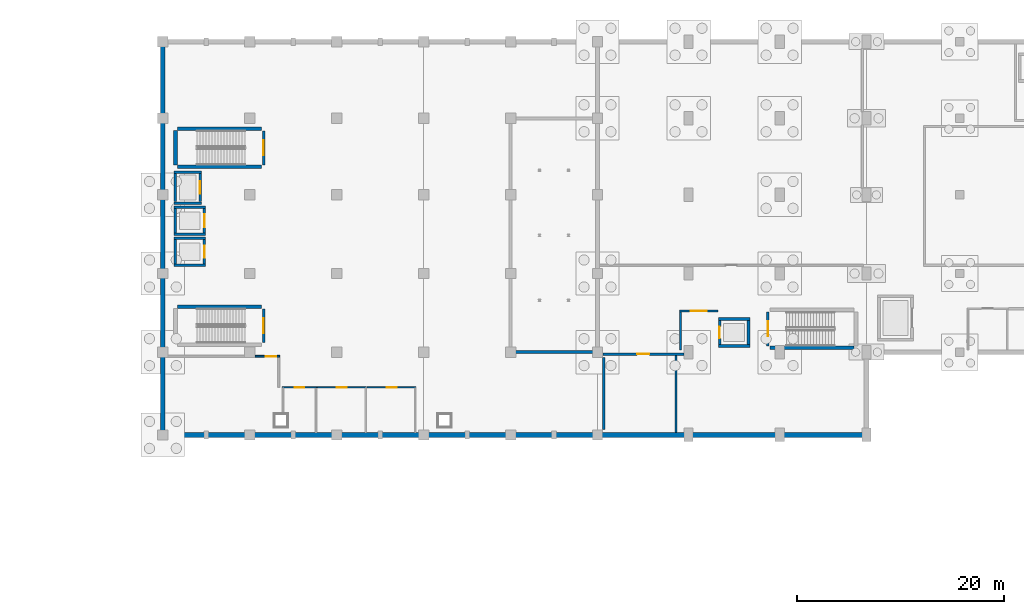
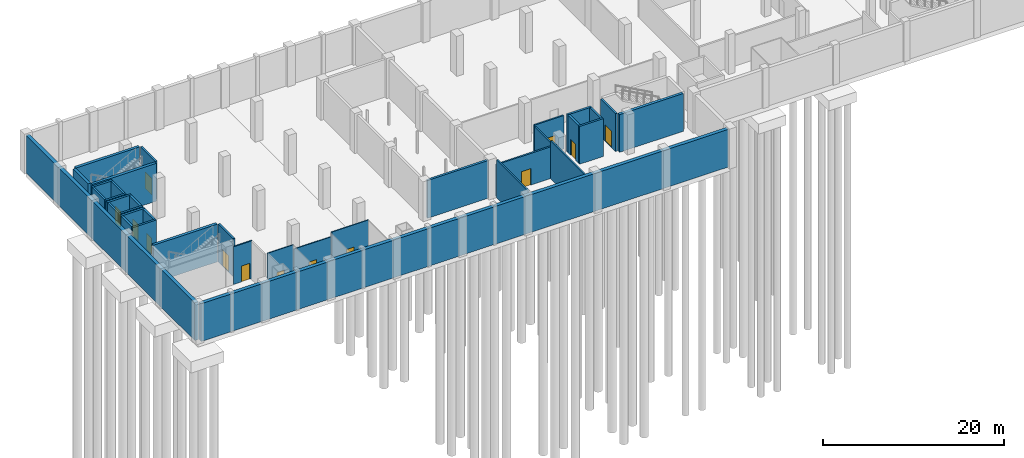
# One storey, part 11 of 20: 36 walls, 13 doors, 13 openings.
"""IFC4 building model written with IfcOpenShell, lengths in metres."""

from ifc_helpers import new_model, si_unit, direction, frame, frame_2d, origin, place, context, subcontext, project, spatial, rectangle, extrude, material, layer, layer_set, type_object, element, fill, save


model = new_model("IFC4")

# Units and contexts
model_context = context("Model", 3, precision=1e-05, world=origin(), true_north=direction((0.0, 1.0)))
body_context = subcontext(model_context, "Body", "Model", "MODEL_VIEW")
ifc_project = project(units=[si_unit("LENGTHUNIT", "METRE"), si_unit("AREAUNIT", "SQUARE_METRE"), si_unit("VOLUMEUNIT", "CUBIC_METRE"), si_unit("PLANEANGLEUNIT", "RADIAN"), si_unit("MASSUNIT", "GRAM", prefix="KILO")], contexts=[model_context])

# Site, building, storey
site_placement = place(None, origin())
site = spatial("IfcSite", under=ifc_project, at=site_placement, CompositionType="ELEMENT")
building_placement = place(site_placement, origin())
building = spatial("IfcBuilding", under=site, at=building_placement, Name="Shengluoqiao Park Theatre", CompositionType="ELEMENT")
storey_placement = place(building_placement, frame((0.0, 0.0, -5.39990234375)))
storey = spatial("IfcBuildingStorey", under=building, at=storey_placement, Name="B1", CompositionType="ELEMENT", Elevation=-5.39990234375)

# Wall, opening, door
ifc_material_1 = material(Name="Concrete blockwork B06", Category="masonry")
ifc_layer_1 = layer(ifc_material_1, 0.2099609375, Name="Concrete blockwork B06")
ifc_layer_set_1 = layer_set([ifc_layer_1], Name="Concrete blockwork B06")
wall_type_1 = type_object("IfcWallType", Name="INT-WL-CMP210", PredefinedType="PARTITIONING", material=ifc_layer_set_1)
wall_1_placement = place(storey_placement, frame((86.907958984375, 83.800048828125, 0.0), z_axis=(0.0, 0.0, 1.0), x_axis=(1.0, 0.0, 0.0)))
wall_1 = element("IfcWall", 1, at=wall_1_placement, inside=storey, type_object=wall_type_1, Name="Fire Pump and Sprinkler Tank Room Partition N", PredefinedType="PARTITIONING", context=body_context, shape_type="SweptSolid", body=[
    extrude(rectangle(XDim=7.833984375, YDim=0.2099609375, at=frame_2d((3.9169921875, 0.0))), origin(), (0.0, 0.0, 1.0), 4.27783203125),
])
opening_1_placement = place(wall_1_placement, frame((3.326904296875, 0.0, 0.0)))
opening_1 = element("IfcOpeningElement", 2, at=opening_1_placement, cuts=wall_1, Name="Opening D-B1-010", PredefinedType="OPENING", context=body_context, shape_type="SweptSolid", body=[
    extrude(rectangle(XDim=1.179931640625, YDim=2.219970703125, at=frame_2d((0.58984375, 1.10986328125))), frame((0.0, 0.114990234375, 0.0), z_axis=(0.0, -1.0, 0.0), x_axis=(1.0, 0.0, 0.0)), (0.0, 0.0, 1.0), 0.22998046875),
])
ifc_material_2 = material(Name="Steel Q355", Category="steel")
door_type_1 = type_object("IfcDoorType", Name="INT-DR-PLT118", OperationType="NOTDEFINED", PredefinedType="DOOR", material=ifc_material_2)
door_1_placement = place(opening_1_placement, origin())
door_1 = element("IfcDoor", 3, at=door_1_placement, inside=storey, type_object=door_type_1, Name="Fire Pump and Sprinkler Tank Room Door D-B1-010", OperationType="SINGLE_SWING_RIGHT", OverallHeight=2.219970703125, OverallWidth=1.179931640625, PredefinedType="DOOR", context=body_context, shape_type="SweptSolid", body=[
    extrude(rectangle(XDim=1.179931640625, YDim=2.219970703125, at=frame_2d((0.58984375, 1.10986328125))), frame((0.0, 0.02490234375, 0.0), z_axis=(0.0, -1.0, 0.0), x_axis=(1.0, 0.0, 0.0)), (0.0, 0.0, 1.0), 0.050048828125),
])
fill(opening_1, door_1)

# Walls
wall_2_placement = place(storey_placement, frame((94.0, 76.23291015625, 0.0), z_axis=(0.0, 0.0, 1.0), x_axis=(0.0, 1.0, 0.0)))
element("IfcWall", 4, at=wall_2_placement, inside=storey, type_object=wall_type_1, Name="Fire Pump and Sprinkler Tank Room Partition E", PredefinedType="PARTITIONING", context=body_context, shape_type="SweptSolid", body=[
    extrude(rectangle(XDim=7.4560546875, YDim=0.2099609375, at=frame_2d((3.72802734375, 0.0))), origin(), (0.0, 0.0, 1.0), 5.099853515625),
])
wall_3_placement = place(storey_placement, frame((87.0, 76.506103515625, 0.0), z_axis=(0.0, 0.0, 1.0), x_axis=(0.0, 1.0, 0.0)))
element("IfcWall", 5, at=wall_3_placement, inside=storey, type_object=wall_type_1, Name="Fire Pump and Sprinkler Tank Room Partition W", PredefinedType="PARTITIONING", context=body_context, shape_type="SweptSolid", body=[
    extrude(rectangle(XDim=6.98779296875, YDim=0.2099609375, at=frame_2d((3.493896484375, 0.0))), origin(), (0.0, 0.0, 1.0), 5.099853515625),
])

# Wall, opening, door
ifc_material_3 = material(Name="Gypsum acoustic stud", Category="gypsum")
ifc_layer_2 = layer(ifc_material_3, 0.175048828125, Name="Gypsum acoustic stud")
ifc_layer_set_2 = layer_set([ifc_layer_2], Name="Gypsum acoustic stud")
wall_type_2 = type_object("IfcWallType", Name="INT-WL-COR175", PredefinedType="PARTITIONING", material=ifc_layer_set_2)
wall_4_placement = place(storey_placement, frame((53.305908203125, 83.60009765625, 0.0), z_axis=(0.0, 0.0, 1.0), x_axis=(1.0, 0.0, 0.0)))
wall_4 = element("IfcWall", 6, at=wall_4_placement, inside=storey, type_object=wall_type_2, Name="Covered Staff and Visitor Bicycle Store Partition N", PredefinedType="PARTITIONING", context=body_context, shape_type="SweptSolid", body=[
    extrude(rectangle(XDim=2.381591796875, YDim=0.175048828125, at=frame_2d((1.19091796875, 0.0))), origin(), (0.0, 0.0, 1.0), 5.099853515625),
])
opening_2_placement = place(wall_4_placement, frame((1.03076171875, 0.0, 0.0)))
opening_2 = element("IfcOpeningElement", 7, at=opening_2_placement, cuts=wall_4, Name="Opening D-B1-011", PredefinedType="OPENING", context=body_context, shape_type="SweptSolid", body=[
    extrude(rectangle(XDim=1.0400390625, YDim=2.139892578125, at=frame_2d((0.52001953125, 1.06982421875))), frame((0.0, 0.097412109375, 0.0), z_axis=(0.0, -1.0, 0.0), x_axis=(1.0, 0.0, 0.0)), (0.0, 0.0, 1.0), 0.195068359375),
])
door_type_2 = type_object("IfcDoorType", Name="INT-DR-STR104", OperationType="NOTDEFINED", PredefinedType="DOOR", material=ifc_material_2)
door_2_placement = place(opening_2_placement, origin())
door_2 = element("IfcDoor", 8, at=door_2_placement, inside=storey, type_object=door_type_2, Name="Covered Staff and Visitor Bicycle Store Door D-B1-011", OperationType="SINGLE_SWING_LEFT", OverallHeight=2.139892578125, OverallWidth=1.0400390625, PredefinedType="DOOR", context=body_context, shape_type="SweptSolid", body=[
    extrude(rectangle(XDim=1.0400390625, YDim=2.139892578125, at=frame_2d((0.52001953125, 1.06982421875))), frame((0.0, 0.02490234375, 0.0), z_axis=(0.0, -1.0, 0.0), x_axis=(1.0, 0.0, 0.0)), (0.0, 0.0, 1.0), 0.050048828125),
])
fill(opening_2, door_2)

# Wall
ifc_layer_3 = layer(ifc_material_1, 0.195068359375, Name="Concrete blockwork B06")
ifc_layer_set_3 = layer_set([ifc_layer_3], Name="Concrete blockwork B06")
wall_type_3 = type_object("IfcWallType", Name="INT-WL-FFL195", PredefinedType="PARTITIONING", material=ifc_layer_set_3)
wall_5_placement = place(storey_placement, frame((94.39990234375, 84.219970703125, 0.0), z_axis=(0.0, 0.0, 1.0), x_axis=(0.0, 1.0, 0.0)))
element("IfcWall", 9, at=wall_5_placement, inside=storey, type_object=wall_type_3, Name="B1 Firefighting Lift Lobby FF1 Fire Wall W", PredefinedType="PARTITIONING", context=body_context, shape_type="SweptSolid", body=[
    extrude(rectangle(XDim=3.675048828125, YDim=0.195068359375, at=frame_2d((1.83740234375, 0.0))), origin(), (0.0, 0.0, 1.0), 4.27783203125),
])

# Wall, opening, door
wall_6_placement = place(storey_placement, frame((94.31005859375, 88.0, 0.0), z_axis=(0.0, 0.0, 1.0), x_axis=(1.0, 0.0, 0.0)))
wall_6 = element("IfcWall", 10, at=wall_6_placement, inside=storey, type_object=wall_type_3, Name="B1 Firefighting Lift Lobby FF1 Fire Wall N", PredefinedType="PARTITIONING", context=body_context, shape_type="SweptSolid", body=[
    extrude(rectangle(XDim=3.75, YDim=0.195068359375, at=frame_2d((1.875, 0.0))), origin(), (0.0, 0.0, 1.0), 4.515869140625),
])
opening_3_placement = place(wall_6_placement, frame((1.125, 0.0, 0.0)))
opening_3 = element("IfcOpeningElement", 11, at=opening_3_placement, cuts=wall_6, Name="Opening FD-FFL-1-B1", PredefinedType="OPENING", context=body_context, shape_type="SweptSolid", body=[
    extrude(rectangle(XDim=1.5, YDim=2.199951171875, at=frame_2d((0.75, 1.10009765625))), frame((0.0, 0.107421875, 0.0), z_axis=(0.0, -1.0, 0.0), x_axis=(1.0, 0.0, 0.0)), (0.0, 0.0, 1.0), 0.215087890625),
])
door_type_3 = type_object("IfcDoorType", Name="INT-DR-FFL150", OperationType="DOUBLE_DOOR_SINGLE_SWING", PredefinedType="DOOR", material=ifc_material_2)
door_3_placement = place(opening_3_placement, origin())
door_3 = element("IfcDoor", 12, at=door_3_placement, inside=storey, type_object=door_type_3, Name="B1 Firefighting Lift Lobby FF1 Fire Door FD-FFL-1-B1", OperationType="DOUBLE_DOOR_SINGLE_SWING", OverallHeight=2.199951171875, OverallWidth=1.5, PredefinedType="DOOR", context=body_context, shape_type="SweptSolid", body=[
    extrude(rectangle(XDim=1.5, YDim=2.199951171875, at=frame_2d((0.75, 1.10009765625))), frame((0.0, 0.02490234375, 0.0), z_axis=(0.0, -1.0, 0.0), x_axis=(1.0, 0.0, 0.0)), (0.0, 0.0, 1.0), 0.050048828125),
])
fill(opening_3, door_3)

# Walls
ifc_material_4 = material(Name="Concrete C40", Category="concrete")
ifc_layer_4 = layer(ifc_material_4, 0.260009765625, Name="Concrete C40")
ifc_layer_set_4 = layer_set([ifc_layer_4], Name="Concrete C40")
wall_type_4 = type_object("IfcWallType", Name="INT-WL-SHF260", PredefinedType="STANDARD", material=ifc_layer_set_4)
for number, where, z_axis, x_axis, name in (
    (13, (45.469970703125, 92.39990234375, 0.0), (0.0, 0.0, 1.0), (1.0, 0.0, 0.0), "B1 PL3 Lift Shaft Wall South"),
    (14, (45.469970703125, 95.0, 0.0), (0.0, 0.0, 1.0), (1.0, 0.0, 0.0), "B1 PL3 Lift Shaft Wall North"),
):
    element("IfcWall", number, at=place(storey_placement, frame(where, z_axis=z_axis, x_axis=x_axis)), inside=storey, type_object=wall_type_4, Name=name, PredefinedType="STANDARD", context=body_context, shape_type="SweptSolid", body=[
        extrude(rectangle(XDim=3.06005859375, YDim=0.260009765625, at=frame_2d((1.530029296875, 0.0))), origin(), (0.0, 0.0, 1.0), 5.099853515625),
    ])
wall_7_placement = place(storey_placement, frame((45.60009765625, 92.535888671875, 0.0), z_axis=(0.0, 0.0, 1.0), x_axis=(0.0, 1.0, 0.0)))
element("IfcWall", 15, at=wall_7_placement, inside=storey, type_object=wall_type_4, Name="B1 PL3 Lift Shaft Wall West", PredefinedType="STANDARD", context=body_context, shape_type="SweptSolid", body=[
    extrude(rectangle(XDim=2.328125, YDim=0.260009765625, at=frame_2d((1.1640625, 0.0))), origin(), (0.0, 0.0, 1.0), 5.099853515625),
])

# Wall, opening, door
wall_8_placement = place(storey_placement, frame((48.39990234375, 92.535888671875, 0.0), z_axis=(0.0, 0.0, 1.0), x_axis=(0.0, 1.0, 0.0)))
wall_8 = element("IfcWall", 16, at=wall_8_placement, inside=storey, type_object=wall_type_4, Name="B1 PL3 Lift Shaft Wall East", PredefinedType="STANDARD", context=body_context, shape_type="SweptSolid", body=[
    extrude(rectangle(XDim=2.328125, YDim=0.260009765625, at=frame_2d((1.1640625, 0.0))), origin(), (0.0, 0.0, 1.0), 5.099853515625),
])
opening_4_placement = place(wall_8_placement, frame((0.589111328125, 0.0, 0.0)))
opening_4 = element("IfcOpeningElement", 17, at=opening_4_placement, cuts=wall_8, Name="Opening LD-PL3-B1", PredefinedType="OPENING", context=body_context, shape_type="SweptSolid", body=[
    extrude(rectangle(XDim=1.14990234375, YDim=2.14990234375, at=frame_2d((0.574951171875, 1.074951171875))), frame((0.0, 0.139892578125, 0.0), z_axis=(0.0, -1.0, 0.0), x_axis=(1.0, 0.0, 0.0)), (0.0, 0.0, 1.0), 0.280029296875),
])
ifc_material_5 = material(Name="Stainless steel 304", Category="steel")
door_type_4 = type_object("IfcDoorType", Name="INT-DR-LD115", OperationType="SLIDING_TO_LEFT", PredefinedType="DOOR", material=ifc_material_5)
door_4_placement = place(opening_4_placement, origin())
door_4 = element("IfcDoor", 18, at=door_4_placement, inside=storey, type_object=door_type_4, Name="PL3 Lift Landing Door LD-PL3-B1", OperationType="SLIDING_TO_LEFT", OverallHeight=2.14990234375, OverallWidth=1.14990234375, PredefinedType="DOOR", context=body_context, shape_type="SweptSolid", body=[
    extrude(rectangle(XDim=1.14990234375, YDim=2.14990234375, at=frame_2d((0.574951171875, 1.074951171875))), frame((0.0, 0.02490234375, 0.0), z_axis=(0.0, -1.0, 0.0), x_axis=(1.0, 0.0, 0.0)), (0.0, 0.0, 1.0), 0.050048828125),
])
fill(opening_4, door_4)

# Walls
for number, where, z_axis, x_axis, name in (
    (19, (45.469970703125, 95.39990234375, 0.0), (0.0, 0.0, 1.0), (1.0, 0.0, 0.0), "B1 PL4 Lift Shaft Wall South"),
    (20, (45.469970703125, 98.0, 0.0), (0.0, 0.0, 1.0), (1.0, 0.0, 0.0), "B1 PL4 Lift Shaft Wall North"),
):
    element("IfcWall", number, at=place(storey_placement, frame(where, z_axis=z_axis, x_axis=x_axis)), inside=storey, type_object=wall_type_4, Name=name, PredefinedType="STANDARD", context=body_context, shape_type="SweptSolid", body=[
        extrude(rectangle(XDim=3.06005859375, YDim=0.260009765625, at=frame_2d((1.530029296875, 0.0))), origin(), (0.0, 0.0, 1.0), 5.099853515625),
    ])
wall_9_placement = place(storey_placement, frame((45.60009765625, 95.535888671875, 0.0), z_axis=(0.0, 0.0, 1.0), x_axis=(0.0, 1.0, 0.0)))
element("IfcWall", 21, at=wall_9_placement, inside=storey, type_object=wall_type_4, Name="B1 PL4 Lift Shaft Wall West", PredefinedType="STANDARD", context=body_context, shape_type="SweptSolid", body=[
    extrude(rectangle(XDim=2.328125, YDim=0.260009765625, at=frame_2d((1.1640625, 0.0))), origin(), (0.0, 0.0, 1.0), 5.099853515625),
])

# Wall, opening, door
wall_10_placement = place(storey_placement, frame((48.39990234375, 95.535888671875, 0.0), z_axis=(0.0, 0.0, 1.0), x_axis=(0.0, 1.0, 0.0)))
wall_10 = element("IfcWall", 22, at=wall_10_placement, inside=storey, type_object=wall_type_4, Name="B1 PL4 Lift Shaft Wall East", PredefinedType="STANDARD", context=body_context, shape_type="SweptSolid", body=[
    extrude(rectangle(XDim=2.328125, YDim=0.260009765625, at=frame_2d((1.1640625, 0.0))), origin(), (0.0, 0.0, 1.0), 5.099853515625),
])
opening_5_placement = place(wall_10_placement, frame((0.553955078125, 0.0, 0.0)))
opening_5 = element("IfcOpeningElement", 23, at=opening_5_placement, cuts=wall_10, Name="Opening LD-PL4-B1", PredefinedType="OPENING", context=body_context, shape_type="SweptSolid", body=[
    extrude(rectangle(XDim=1.219970703125, YDim=2.199951171875, at=frame_2d((0.60986328125, 1.10009765625))), frame((0.0, 0.139892578125, 0.0), z_axis=(0.0, -1.0, 0.0), x_axis=(1.0, 0.0, 0.0)), (0.0, 0.0, 1.0), 0.280029296875),
])
door_type_5 = type_object("IfcDoorType", Name="INT-DR-LD122", OperationType="SLIDING_TO_RIGHT", PredefinedType="DOOR", material=ifc_material_5)
door_5_placement = place(opening_5_placement, origin())
door_5 = element("IfcDoor", 24, at=door_5_placement, inside=storey, type_object=door_type_5, Name="PL4 Lift Landing Door LD-PL4-B1", OperationType="SLIDING_TO_RIGHT", OverallHeight=2.199951171875, OverallWidth=1.219970703125, PredefinedType="DOOR", context=body_context, shape_type="SweptSolid", body=[
    extrude(rectangle(XDim=1.219970703125, YDim=2.199951171875, at=frame_2d((0.60986328125, 1.10009765625))), frame((0.0, 0.02490234375, 0.0), z_axis=(0.0, -1.0, 0.0), x_axis=(1.0, 0.0, 0.0)), (0.0, 0.0, 1.0), 0.050048828125),
])
fill(opening_5, door_5)

# Walls
for number, where, z_axis, x_axis, name in (
    (25, (45.469970703125, 98.39990234375, 0.0), (0.0, 0.0, 1.0), (1.0, 0.0, 0.0), "B1 AL1 Lift Shaft Wall South"),
    (26, (45.469970703125, 101.39990234375, 0.0), (0.0, 0.0, 1.0), (1.0, 0.0, 0.0), "B1 AL1 Lift Shaft Wall North"),
):
    element("IfcWall", number, at=place(storey_placement, frame(where, z_axis=z_axis, x_axis=x_axis)), inside=storey, type_object=wall_type_4, Name=name, PredefinedType="STANDARD", context=body_context, shape_type="SweptSolid", body=[
        extrude(rectangle(XDim=2.659912109375, YDim=0.260009765625, at=frame_2d((1.330078125, 0.0))), origin(), (0.0, 0.0, 1.0), 5.099853515625),
    ])
wall_11_placement = place(storey_placement, frame((45.60009765625, 98.535888671875, 0.0), z_axis=(0.0, 0.0, 1.0), x_axis=(0.0, 1.0, 0.0)))
element("IfcWall", 27, at=wall_11_placement, inside=storey, type_object=wall_type_4, Name="B1 AL1 Lift Shaft Wall West", PredefinedType="STANDARD", context=body_context, shape_type="SweptSolid", body=[
    extrude(rectangle(XDim=2.72802734375, YDim=0.260009765625, at=frame_2d((1.364013671875, 0.0))), origin(), (0.0, 0.0, 1.0), 5.099853515625),
])

# Wall, opening, door
wall_12_placement = place(storey_placement, frame((48.0, 98.535888671875, 0.0), z_axis=(0.0, 0.0, 1.0), x_axis=(0.0, 1.0, 0.0)))
wall_12 = element("IfcWall", 28, at=wall_12_placement, inside=storey, type_object=wall_type_4, Name="B1 AL1 Lift Shaft Wall East", PredefinedType="STANDARD", context=body_context, shape_type="SweptSolid", body=[
    extrude(rectangle(XDim=2.72802734375, YDim=0.260009765625, at=frame_2d((1.364013671875, 0.0))), origin(), (0.0, 0.0, 1.0), 5.099853515625),
])
opening_6_placement = place(wall_12_placement, frame((0.75390625, 0.0, 0.0)))
opening_6 = element("IfcOpeningElement", 29, at=opening_6_placement, cuts=wall_12, Name="Opening LD-AL1-B1", PredefinedType="OPENING", context=body_context, shape_type="SweptSolid", body=[
    extrude(rectangle(XDim=1.219970703125, YDim=2.199951171875, at=frame_2d((0.60986328125, 1.10009765625))), frame((0.0, 0.139892578125, 0.0), z_axis=(0.0, -1.0, 0.0), x_axis=(1.0, 0.0, 0.0)), (0.0, 0.0, 1.0), 0.280029296875),
])
door_6_placement = place(opening_6_placement, origin())
door_6 = element("IfcDoor", 30, at=door_6_placement, inside=storey, type_object=door_type_5, Name="AL1 Lift Landing Door LD-AL1-B1", OperationType="SLIDING_TO_LEFT", OverallHeight=2.199951171875, OverallWidth=1.219970703125, PredefinedType="DOOR", context=body_context, shape_type="SweptSolid", body=[
    extrude(rectangle(XDim=1.219970703125, YDim=2.199951171875, at=frame_2d((0.60986328125, 1.10009765625))), frame((0.0, 0.02490234375, 0.0), z_axis=(0.0, -1.0, 0.0), x_axis=(1.0, 0.0, 0.0)), (0.0, 0.0, 1.0), 0.050048828125),
])
fill(opening_6, door_6)

# Walls
for number, where, z_axis, x_axis, name in (
    (31, (98.070068359375, 84.60009765625, 0.0), (0.0, 0.0, 1.0), (1.0, 0.0, 0.0), "B1 FF1 Lift Shaft Wall South"),
    (32, (98.070068359375, 87.199951171875, 0.0), (0.0, 0.0, 1.0), (1.0, 0.0, 0.0), "B1 FF1 Lift Shaft Wall North"),
):
    element("IfcWall", number, at=place(storey_placement, frame(where, z_axis=z_axis, x_axis=x_axis)), inside=storey, type_object=wall_type_4, Name=name, PredefinedType="STANDARD", context=body_context, shape_type="SweptSolid", body=[
        extrude(rectangle(XDim=3.059814453125, YDim=0.260009765625, at=frame_2d((1.52978515625, 0.0))), origin(), (0.0, 0.0, 1.0), 5.099853515625),
    ])

# Wall, opening, door
wall_13_placement = place(storey_placement, frame((98.199951171875, 84.736083984375, 0.0), z_axis=(0.0, 0.0, 1.0), x_axis=(0.0, 1.0, 0.0)))
wall_13 = element("IfcWall", 33, at=wall_13_placement, inside=storey, type_object=wall_type_4, Name="B1 FF1 Lift Shaft Wall West", PredefinedType="STANDARD", context=body_context, shape_type="SweptSolid", body=[
    extrude(rectangle(XDim=2.327880859375, YDim=0.260009765625, at=frame_2d((1.1640625, 0.0))), origin(), (0.0, 0.0, 1.0), 5.099853515625),
])
opening_7_placement = place(wall_13_placement, frame((0.589111328125, 0.0, 0.0)))
opening_7 = element("IfcOpeningElement", 34, at=opening_7_placement, cuts=wall_13, Name="Opening LD-FF1-B1", PredefinedType="OPENING", context=body_context, shape_type="SweptSolid", body=[
    extrude(rectangle(XDim=1.14990234375, YDim=2.14990234375, at=frame_2d((0.574951171875, 1.074951171875))), frame((0.0, 0.139892578125, 0.0), z_axis=(0.0, -1.0, 0.0), x_axis=(1.0, 0.0, 0.0)), (0.0, 0.0, 1.0), 0.280029296875),
])
door_7_placement = place(opening_7_placement, origin())
door_7 = element("IfcDoor", 35, at=door_7_placement, inside=storey, type_object=door_type_4, Name="FF1 Lift Landing Door LD-FF1-B1", OperationType="SLIDING_TO_LEFT", OverallHeight=2.14990234375, OverallWidth=1.14990234375, PredefinedType="DOOR", context=body_context, shape_type="SweptSolid", body=[
    extrude(rectangle(XDim=1.14990234375, YDim=2.14990234375, at=frame_2d((0.574951171875, 1.074951171875))), frame((0.0, 0.02490234375, 0.0), z_axis=(0.0, -1.0, 0.0), x_axis=(1.0, 0.0, 0.0)), (0.0, 0.0, 1.0), 0.050048828125),
])
fill(opening_7, door_7)

# Wall
wall_14_placement = place(storey_placement, frame((101.0, 84.736083984375, 0.0), z_axis=(0.0, 0.0, 1.0), x_axis=(0.0, 1.0, 0.0)))
element("IfcWall", 36, at=wall_14_placement, inside=storey, type_object=wall_type_4, Name="B1 FF1 Lift Shaft Wall East", PredefinedType="STANDARD", context=body_context, shape_type="SweptSolid", body=[
    extrude(rectangle(XDim=2.327880859375, YDim=0.260009765625, at=frame_2d((1.1640625, 0.0))), origin(), (0.0, 0.0, 1.0), 5.099853515625),
])

# Wall, opening, door
ifc_layer_5 = layer(ifc_material_4, 0.239990234375, Name="Concrete C40")
ifc_layer_set_5 = layer_set([ifc_layer_5], Name="Concrete C40")
wall_type_5 = type_object("IfcWallType", Name="INT-WL-STW240", PredefinedType="STANDARD", material=ifc_layer_set_5)
wall_15_placement = place(storey_placement, frame((54.139892578125, 88.18994140625, 0.0), z_axis=(0.0, 0.0, 1.0), x_axis=(0.0, -1.0, 0.0)))
wall_15 = element("IfcWall", 37, at=wall_15_placement, inside=storey, type_object=wall_type_5, Name="B1 ST-02 Stairwell Fire Wall", PredefinedType="STANDARD", context=body_context, shape_type="SweptSolid", body=[
    extrude(rectangle(XDim=3.280029296875, YDim=0.239990234375, at=frame_2d((1.64013671875, 0.0))), origin(), (0.0, 0.0, 1.0), 5.099853515625),
])
opening_8_placement = place(wall_15_placement, frame((0.9150390625, 0.0, 0.0)))
opening_8 = element("IfcOpeningElement", 38, at=opening_8_placement, cuts=wall_15, Name="Opening SD-02-B1", PredefinedType="OPENING", context=body_context, shape_type="SweptSolid", body=[
    extrude(rectangle(XDim=1.449951171875, YDim=2.199951171875, at=frame_2d((0.72509765625, 1.10009765625))), frame((0.0, 0.1298828125, 0.0), z_axis=(0.0, -1.0, 0.0), x_axis=(1.0, 0.0, 0.0)), (0.0, 0.0, 1.0), 0.260009765625),
])
door_type_6 = type_object("IfcDoorType", Name="INT-DR-STW145", OperationType="DOUBLE_DOOR_SINGLE_SWING", PredefinedType="DOOR", material=ifc_material_2)
door_8_placement = place(opening_8_placement, origin())
door_8 = element("IfcDoor", 39, at=door_8_placement, inside=storey, type_object=door_type_6, Name="B1 ST-02 Escape Stair Door SD-02-B1", OperationType="DOUBLE_DOOR_SINGLE_SWING", OverallHeight=2.199951171875, OverallWidth=1.449951171875, PredefinedType="DOOR", context=body_context, shape_type="SweptSolid", body=[
    extrude(rectangle(XDim=1.449951171875, YDim=2.199951171875, at=frame_2d((0.72509765625, 1.10009765625))), frame((0.0, 0.02490234375, 0.0), z_axis=(0.0, -1.0, 0.0), x_axis=(1.0, 0.0, 0.0)), (0.0, 0.0, 1.0), 0.050048828125),
])
fill(opening_8, door_8)

wall_16_placement = place(storey_placement, frame((54.139892578125, 105.389892578125, 0.0), z_axis=(0.0, 0.0, 1.0), x_axis=(0.0, -1.0, 0.0)))
wall_16 = element("IfcWall", 40, at=wall_16_placement, inside=storey, type_object=wall_type_5, Name="B1 ST-03 Stairwell Fire Wall", PredefinedType="STANDARD", context=body_context, shape_type="SweptSolid", body=[
    extrude(rectangle(XDim=3.27978515625, YDim=0.239990234375, at=frame_2d((1.639892578125, 0.0))), origin(), (0.0, 0.0, 1.0), 5.099853515625),
])
opening_9_placement = place(wall_16_placement, frame((0.9150390625, 0.0, 0.0)))
opening_9 = element("IfcOpeningElement", 41, at=opening_9_placement, cuts=wall_16, Name="Opening SD-03-B1", PredefinedType="OPENING", context=body_context, shape_type="SweptSolid", body=[
    extrude(rectangle(XDim=1.449951171875, YDim=2.199951171875, at=frame_2d((0.72509765625, 1.10009765625))), frame((0.0, 0.1298828125, 0.0), z_axis=(0.0, -1.0, 0.0), x_axis=(1.0, 0.0, 0.0)), (0.0, 0.0, 1.0), 0.260009765625),
])
door_9_placement = place(opening_9_placement, origin())
door_9 = element("IfcDoor", 42, at=door_9_placement, inside=storey, type_object=door_type_6, Name="B1 ST-03 Escape Stair Door SD-03-B1", OperationType="DOUBLE_DOOR_SINGLE_SWING", OverallHeight=2.199951171875, OverallWidth=1.449951171875, PredefinedType="DOOR", context=body_context, shape_type="SweptSolid", body=[
    extrude(rectangle(XDim=1.449951171875, YDim=2.199951171875, at=frame_2d((0.72509765625, 1.10009765625))), frame((0.0, 0.02490234375, 0.0), z_axis=(0.0, -1.0, 0.0), x_axis=(1.0, 0.0, 0.0)), (0.0, 0.0, 1.0), 0.050048828125),
])
fill(opening_9, door_9)

wall_17_placement = place(storey_placement, frame((102.860107421875, 84.610107421875, 0.0), z_axis=(0.0, 0.0, 1.0), x_axis=(0.0, 1.0, 0.0)))
wall_17 = element("IfcWall", 43, at=wall_17_placement, inside=storey, type_object=wall_type_5, Name="B1 ST-05 Stairwell Fire Wall", PredefinedType="STANDARD", context=body_context, shape_type="SweptSolid", body=[
    extrude(rectangle(XDim=3.27978515625, YDim=0.239990234375, at=frame_2d((1.639892578125, 0.0))), origin(), (0.0, 0.0, 1.0), 5.099853515625),
])
opening_10_placement = place(wall_17_placement, frame((0.9150390625, 0.0, 0.0)))
opening_10 = element("IfcOpeningElement", 44, at=opening_10_placement, cuts=wall_17, Name="Opening SD-05-B1", PredefinedType="OPENING", context=body_context, shape_type="SweptSolid", body=[
    extrude(rectangle(XDim=1.449951171875, YDim=2.199951171875, at=frame_2d((0.72509765625, 1.10009765625))), frame((0.0, 0.1298828125, 0.0), z_axis=(0.0, -1.0, 0.0), x_axis=(1.0, 0.0, 0.0)), (0.0, 0.0, 1.0), 0.260009765625),
])
door_10_placement = place(opening_10_placement, origin())
door_10 = element("IfcDoor", 45, at=door_10_placement, inside=storey, type_object=door_type_6, Name="B1 ST-05 Escape Stair Door SD-05-B1", OperationType="DOUBLE_DOOR_SINGLE_SWING", OverallHeight=2.199951171875, OverallWidth=1.449951171875, PredefinedType="DOOR", context=body_context, shape_type="SweptSolid", body=[
    extrude(rectangle(XDim=1.449951171875, YDim=2.199951171875, at=frame_2d((0.72509765625, 1.10009765625))), frame((0.0, 0.02490234375, 0.0), z_axis=(0.0, -1.0, 0.0), x_axis=(1.0, 0.0, 0.0)), (0.0, 0.0, 1.0), 0.050048828125),
])
fill(opening_10, door_10)

ifc_material_6 = material(Name="Moisture-resistant board")
ifc_layer_6 = layer(ifc_material_6, 0.114990234375, Name="Moisture-resistant board")
ifc_layer_set_6 = layer_set([ifc_layer_6], Name="Moisture-resistant board")
wall_type_6 = type_object("IfcWallType", Name="INT-WL-WCP115", PredefinedType="PARTITIONING", material=ifc_layer_set_6)
wall_18_placement = place(storey_placement, frame((55.9423828125, 80.60009765625, 0.0), z_axis=(0.0, 0.0, 1.0), x_axis=(1.0, 0.0, 0.0)))
wall_18 = element("IfcWall", 46, at=wall_18_placement, inside=storey, type_object=wall_type_6, Name="Basement Accessible WC Partition N", PredefinedType="PARTITIONING", context=body_context, shape_type="SweptSolid", body=[
    extrude(rectangle(XDim=3.315185546875, YDim=0.114990234375, at=frame_2d((1.65771484375, 0.0))), origin(), (0.0, 0.0, 1.0), 5.099853515625),
])
opening_11_placement = place(wall_18_placement, frame((1.177490234375, 0.0, 0.0)))
opening_11 = element("IfcOpeningElement", 47, at=opening_11_placement, cuts=wall_18, Name="Opening D-B1-001", PredefinedType="OPENING", context=body_context, shape_type="SweptSolid", body=[
    extrude(rectangle(XDim=0.9599609375, YDim=2.080078125, at=frame_2d((0.47998046875, 1.0400390625))), frame((0.0, 0.0673828125, 0.0), z_axis=(0.0, -1.0, 0.0), x_axis=(1.0, 0.0, 0.0)), (0.0, 0.0, 1.0), 0.135009765625),
])
ifc_material_7 = material(Name="Moisture-resistant laminate")
door_type_7 = type_object("IfcDoorType", Name="INT-DR-ACC096", OperationType="NOTDEFINED", PredefinedType="DOOR", material=ifc_material_7)
door_11_placement = place(opening_11_placement, origin())
door_11 = element("IfcDoor", 48, at=door_11_placement, inside=storey, type_object=door_type_7, Name="Basement Accessible WC Door D-B1-001", OperationType="SINGLE_SWING_LEFT", OverallHeight=2.080078125, OverallWidth=0.9599609375, PredefinedType="DOOR", context=body_context, shape_type="SweptSolid", body=[
    extrude(rectangle(XDim=0.9599609375, YDim=2.080078125, at=frame_2d((0.47998046875, 1.0400390625))), frame((0.0, 0.02490234375, 0.0), z_axis=(0.0, -1.0, 0.0), x_axis=(1.0, 0.0, 0.0)), (0.0, 0.0, 1.0), 0.050048828125),
])
fill(opening_11, door_11)

wall_19_placement = place(storey_placement, frame((59.3349609375, 80.60009765625, 0.0), z_axis=(0.0, 0.0, 1.0), x_axis=(1.0, 0.0, 0.0)))
wall_19 = element("IfcWall", 49, at=wall_19_placement, inside=storey, type_object=wall_type_6, Name="Basement Public Male WC Partition N", PredefinedType="PARTITIONING", context=body_context, shape_type="SweptSolid", body=[
    extrude(rectangle(XDim=4.72265625, YDim=0.114990234375, at=frame_2d((2.361328125, 0.0))), origin(), (0.0, 0.0, 1.0), 4.489990234375),
])
opening_12_placement = place(wall_19_placement, frame((1.88134765625, 0.0, 0.0)))
opening_12 = element("IfcOpeningElement", 50, at=opening_12_placement, cuts=wall_19, Name="Opening D-B1-002", PredefinedType="OPENING", context=body_context, shape_type="SweptSolid", body=[
    extrude(rectangle(XDim=0.9599609375, YDim=2.080078125, at=frame_2d((0.47998046875, 1.0400390625))), frame((0.0, 0.0673828125, 0.0), z_axis=(0.0, -1.0, 0.0), x_axis=(1.0, 0.0, 0.0)), (0.0, 0.0, 1.0), 0.135009765625),
])
door_12_placement = place(opening_12_placement, origin())
door_12 = element("IfcDoor", 51, at=door_12_placement, inside=storey, type_object=door_type_7, Name="Basement Public Male WC Door D-B1-002", OperationType="SINGLE_SWING_RIGHT", OverallHeight=2.080078125, OverallWidth=0.9599609375, PredefinedType="DOOR", context=body_context, shape_type="SweptSolid", body=[
    extrude(rectangle(XDim=0.9599609375, YDim=2.080078125, at=frame_2d((0.47998046875, 1.0400390625))), frame((0.0, 0.02490234375, 0.0), z_axis=(0.0, -1.0, 0.0), x_axis=(1.0, 0.0, 0.0)), (0.0, 0.0, 1.0), 0.050048828125),
])
fill(opening_12, door_12)

wall_20_placement = place(storey_placement, frame((64.135009765625, 80.60009765625, 0.0), z_axis=(0.0, 0.0, 1.0), x_axis=(1.0, 0.0, 0.0)))
wall_20 = element("IfcWall", 52, at=wall_20_placement, inside=storey, type_object=wall_type_6, Name="Basement Public Female WC Partition N", PredefinedType="PARTITIONING", context=body_context, shape_type="SweptSolid", body=[
    extrude(rectangle(XDim=4.722412109375, YDim=0.114990234375, at=frame_2d((2.361328125, 0.0))), origin(), (0.0, 0.0, 1.0), 5.099853515625),
])
opening_13_placement = place(wall_20_placement, frame((1.881103515625, 0.0, 0.0)))
opening_13 = element("IfcOpeningElement", 53, at=opening_13_placement, cuts=wall_20, Name="Opening D-B1-003", PredefinedType="OPENING", context=body_context, shape_type="SweptSolid", body=[
    extrude(rectangle(XDim=0.9599609375, YDim=2.080078125, at=frame_2d((0.47998046875, 1.0400390625))), frame((0.0, 0.0673828125, 0.0), z_axis=(0.0, -1.0, 0.0), x_axis=(1.0, 0.0, 0.0)), (0.0, 0.0, 1.0), 0.135009765625),
])
door_13_placement = place(opening_13_placement, origin())
door_13 = element("IfcDoor", 54, at=door_13_placement, inside=storey, type_object=door_type_7, Name="Basement Public Female WC Door D-B1-003", OperationType="SINGLE_SWING_LEFT", OverallHeight=2.080078125, OverallWidth=0.9599609375, PredefinedType="DOOR", context=body_context, shape_type="SweptSolid", body=[
    extrude(rectangle(XDim=0.9599609375, YDim=2.080078125, at=frame_2d((0.47998046875, 1.0400390625))), frame((0.0, 0.02490234375, 0.0), z_axis=(0.0, -1.0, 0.0), x_axis=(1.0, 0.0, 0.0)), (0.0, 0.0, 1.0), 0.050048828125),
])
fill(opening_13, door_13)

# Walls
ifc_layer_7 = layer(ifc_material_4, 0.449951171875, Name="Concrete C40")
ifc_layer_set_7 = layer_set([ifc_layer_7], Name="Concrete C40")
wall_type_7 = type_object("IfcWallType", Name="STR-SW-B1RET450", PredefinedType="SHEAR", material=ifc_layer_set_7)
wall_21_placement = place(storey_placement, frame((44.699951171875, 76.0, 0.0), z_axis=(0.0, 0.0, 1.0), x_axis=(1.0, 0.0, 0.0)))
element("IfcWall", 55, at=wall_21_placement, inside=storey, type_object=wall_type_7, Name="B1 Basement Retaining Wall 0001", PredefinedType="SHEAR", context=body_context, shape_type="SweptSolid", body=[
    extrude(rectangle(XDim=67.400146484375, YDim=0.449951171875, at=frame_2d((33.7001953125, 0.0))), origin(), (0.0, 0.0, 1.0), 5.099853515625),
])
wall_22_placement = place(storey_placement, frame((44.39990234375, 113.699951171875, 0.0), z_axis=(0.0, 0.0, 1.0), x_axis=(0.0, -1.0, 0.0)))
element("IfcWall", 56, at=wall_22_placement, inside=storey, type_object=wall_type_7, Name="B1 Basement Retaining Wall 0006", PredefinedType="SHEAR", context=body_context, shape_type="SweptSolid", body=[
    extrude(rectangle(XDim=37.39990234375, YDim=0.449951171875, at=frame_2d((18.699951171875, 0.0))), origin(), (0.0, 0.0, 1.0), 5.099853515625),
])
ifc_material_8 = material(Name="Concrete C50", Category="concrete")
ifc_layer_8 = layer(ifc_material_8, 0.35009765625, Name="Concrete C50")
ifc_layer_set_8 = layer_set([ifc_layer_8], Name="Concrete C50")
wall_type_8 = type_object("IfcWallType", Name="STR-SW-CORE350", PredefinedType="SHEAR", material=ifc_layer_set_8)
for number, where, z_axis, x_axis, name in (
    (57, (53.949951171875, 88.3798828125, 0.0), (0.0, 0.0, 1.0), (-1.0, 0.0, 0.0), "B1 ST-02 Core Left Shear Wall 0037"),
    (58, (53.949951171875, 105.580078125, 0.0), (0.0, 0.0, 1.0), (-1.0, 0.0, 0.0), "B1 ST-03 Core Left Shear Wall 0055"),
):
    element("IfcWall", number, at=place(storey_placement, frame(where, z_axis=z_axis, x_axis=x_axis)), inside=storey, type_object=wall_type_8, Name=name, PredefinedType="SHEAR", context=body_context, shape_type="SweptSolid", body=[
        extrude(rectangle(XDim=8.14990234375, YDim=0.35009765625, at=frame_2d((4.074951171875, 0.0))), origin(), (0.0, 0.0, 1.0), 5.099853515625),
    ])
wall_23_placement = place(storey_placement, frame((45.6201171875, 105.39990234375, 0.0), z_axis=(0.0, 0.0, 1.0), x_axis=(0.0, -1.0, 0.0)))
element("IfcWall", 59, at=wall_23_placement, inside=storey, type_object=wall_type_8, Name="B1 ST-03 Core Far Shear Wall 0056", PredefinedType="SHEAR", context=body_context, shape_type="SweptSolid", body=[
    extrude(rectangle(XDim=3.2998046875, YDim=0.35009765625, at=frame_2d((1.64990234375, 0.0))), origin(), (0.0, 0.0, 1.0), 5.099853515625),
])
for number, where, z_axis, x_axis, name in (
    (60, (45.800048828125, 101.919921875, 0.0), (0.0, 0.0, 1.0), (1.0, 0.0, 0.0), "B1 ST-03 Core Right Shear Wall 0057"),
    (61, (103.050048828125, 84.419921875, 0.0), (0.0, 0.0, 1.0), (1.0, 0.0, 0.0), "B1 ST-05 Core Left Shear Wall 0085"),
):
    element("IfcWall", number, at=place(storey_placement, frame(where, z_axis=z_axis, x_axis=x_axis)), inside=storey, type_object=wall_type_8, Name=name, PredefinedType="SHEAR", context=body_context, shape_type="SweptSolid", body=[
        extrude(rectangle(XDim=8.14990234375, YDim=0.35009765625, at=frame_2d((4.074951171875, 0.0))), origin(), (0.0, 0.0, 1.0), 5.099853515625),
    ])
ifc_layer_9 = layer(ifc_material_4, 0.2900390625, Name="Concrete C40")
ifc_layer_set_9 = layer_set([ifc_layer_9], Name="Concrete C40")
wall_type_9 = type_object("IfcWallType", Name="STR-SW-PIT290", PredefinedType="SHEAR", material=ifc_layer_set_9)
wall_24_placement = place(storey_placement, frame((78.300048828125, 84.0, 0.0), z_axis=(0.0, 0.0, 1.0), x_axis=(1.0, 0.0, 0.0)))
element("IfcWall", 62, at=wall_24_placement, inside=storey, type_object=wall_type_9, Name="B1 Orchestra Pit South Wall 0014", PredefinedType="SHEAR", context=body_context, shape_type="SweptSolid", body=[
    extrude(rectangle(XDim=7.800048828125, YDim=0.2900390625, at=frame_2d((3.89990234375, 0.0))), origin(), (0.0, 0.0, 1.0), 5.099853515625),
])

save(model, "model.ifc")
